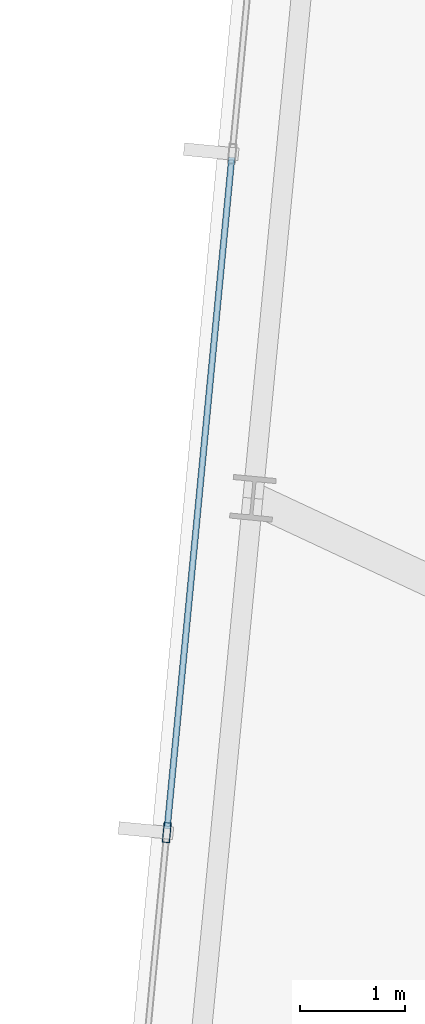
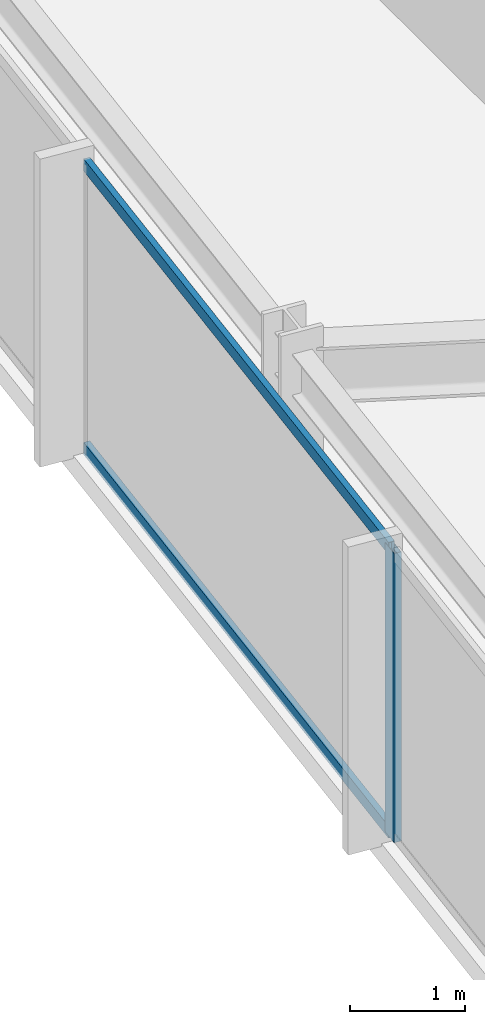
# One storey, part 8 of 38: 3 members, 1 element without a shape of its own.
"""IFC4 building model written with IfcOpenShell, lengths in metres."""

from ifc_helpers import new_model, si_unit, direction, frame, origin, origin_2d, place, context, subcontext, project, spatial, hollow_rectangle, extrude, material, material_profile, profile_set, type_object, element, aggregate, save


model = new_model("IFC4")

# Units and contexts
model_context = context("Model", 3, precision=1e-05, world=origin(), true_north=direction((0.0, 1.0)))
body_context = subcontext(model_context, "Body", "Model", "MODEL_VIEW")
ifc_project = project(units=[si_unit("LENGTHUNIT", "METRE"), si_unit("AREAUNIT", "SQUARE_METRE"), si_unit("VOLUMEUNIT", "CUBIC_METRE"), si_unit("PLANEANGLEUNIT", "RADIAN"), si_unit("MASSUNIT", "GRAM", prefix="KILO")], contexts=[model_context])

# Site, building, storey
site_placement = place(None, origin())
site = spatial("IfcSite", under=ifc_project, at=site_placement, CompositionType="ELEMENT")
building_placement = place(site_placement, origin())
building = spatial("IfcBuilding", under=site, at=building_placement, Name="Yelkora Congress Tower", CompositionType="ELEMENT")
storey_placement = place(building_placement, frame((0.0, 0.0, 155.60009765625)))
storey = spatial("IfcBuildingStorey", under=building, at=storey_placement, Name="L42", CompositionType="ELEMENT", Elevation=155.60009765625)

# Curtain wall, members
ifc_material_1 = material(Name="Anodised aluminium and insulated glass", Category="aluminium")
curtain_wall_type = type_object("IfcCurtainWallType", Name="CW-SYS-B3", PredefinedType="NOTDEFINED", material=ifc_material_1)
curtain_wall_placement = place(storey_placement, origin())
curtain_wall = element("IfcCurtainWall", 1, at=curtain_wall_placement, inside=storey, type_object=curtain_wall_type, Name="L42 Unitised Curtain Wall 5", PredefinedType="NOTDEFINED")
ifc_material_2 = material(Name="Anodised aluminium 6063-T6", Category="aluminium")
ifc_material_profile_1 = material_profile(ifc_material_2, hollow_rectangle(XDim=0.070068359375, YDim=0.18994140625, WallThickness=0.00390625, at=origin_2d()), Name="ALU 70x190x4")
ifc_profile_set_1 = profile_set([ifc_material_profile_1], Name="Anodised aluminium 6063-T6")
member_type_1 = type_object("IfcMemberType", Name="MEM-ML-B3", PredefinedType="MULLION", material=ifc_profile_set_1)
member_1_placement = place(storey_placement, frame((2.546142578125, 29.416259765625, 0.0), z_axis=(0.0, 0.0, 1.0), x_axis=(-0.995396242473, 0.095845294465, 0.0)))
member_1 = element("IfcMember", 2, at=member_1_placement, type_object=member_type_1, Name="CW-B3 mullion 3", PredefinedType="MULLION", context=body_context, shape_type="SweptSolid", body=[
    extrude(hollow_rectangle(XDim=0.070068359375, YDim=0.18994140625, WallThickness=0.00390625, at=origin_2d()), origin(), (0.0, 0.0, 1.0), 3.079833984375),
])
ifc_material_profile_2 = material_profile(ifc_material_2, hollow_rectangle(XDim=0.06005859375, YDim=0.1298828125, WallThickness=0.00390625, at=origin_2d()), Name="ALU 60x130x4")
ifc_profile_set_2 = profile_set([ifc_material_profile_2], Name="Anodised aluminium 6063-T6")
member_type_2 = type_object("IfcMemberType", Name="MEM-TR-B3", PredefinedType="USERDEFINED", material=ifc_profile_set_2)
member_2_placement = place(storey_placement, frame((2.549560546875, 29.450927734375, 0.02978515625), z_axis=(0.095843682057, 0.995396397728, 0.0), x_axis=(-0.995396397728, 0.095843682057, 0.0)))
member_2 = element("IfcMember", 3, at=member_2_placement, type_object=member_type_2, Name="CW-B3 transom 3.1", ObjectType="TRANSOM", PredefinedType="USERDEFINED", context=body_context, shape_type="SweptSolid", body=[
    extrude(hollow_rectangle(XDim=0.06005859375, YDim=0.1298828125, WallThickness=0.00390625, at=origin_2d()), origin(), (0.0, 0.0, 1.0), 6.4140625),
])
member_3_placement = place(storey_placement, frame((2.549560546875, 29.450927734375, 3.0498046875), z_axis=(0.095843682057, 0.995396397728, 0.0), x_axis=(-0.995396397728, 0.095843682057, 0.0)))
member_3 = element("IfcMember", 4, at=member_3_placement, type_object=member_type_2, Name="CW-B3 transom 3.2", ObjectType="TRANSOM", PredefinedType="USERDEFINED", context=body_context, shape_type="SweptSolid", body=[
    extrude(hollow_rectangle(XDim=0.06005859375, YDim=0.1298828125, WallThickness=0.00390625, at=origin_2d()), origin(), (0.0, 0.0, 1.0), 6.4140625),
])
aggregate(curtain_wall, [member_1, member_2, member_3])

save(model, "model.ifc")
